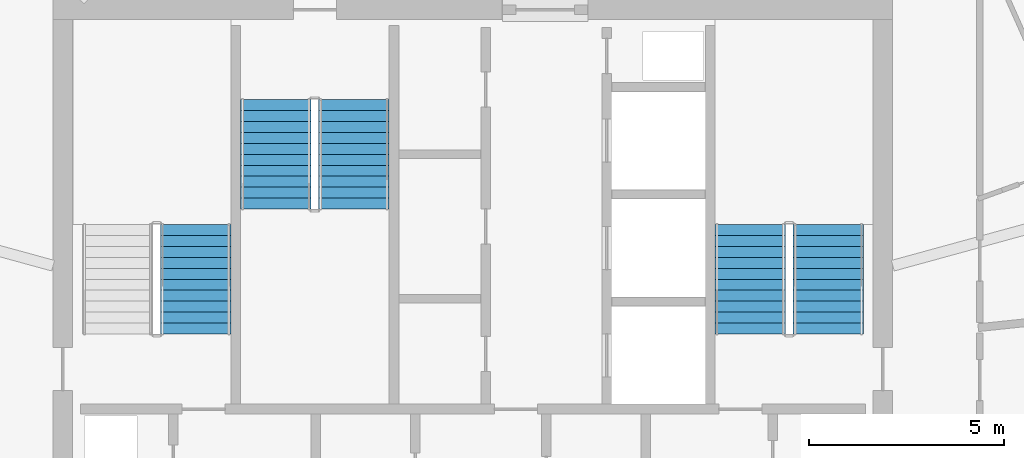
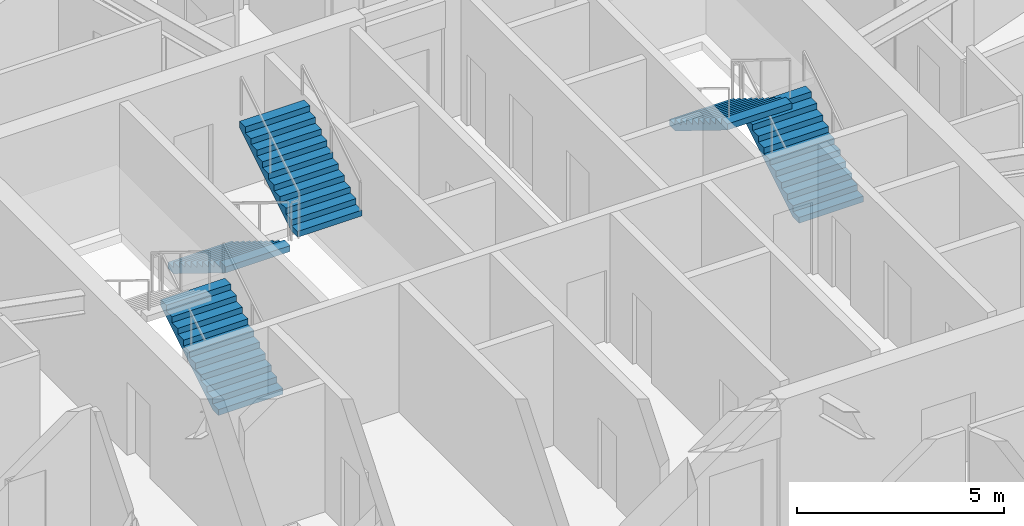
# One storey, part 21 of 23: 5 stair flights, 3 elements without a shape of their own.
"""IFC4 building model written with IfcOpenShell, lengths in metres."""

from ifc_helpers import new_model, si_unit, direction, frame, origin, place, context, subcontext, project, spatial, polyline, outline, extrude, material, type_object, element, aggregate, save


model = new_model("IFC4")

# Units and contexts
model_context = context("Model", 3, precision=1e-05, world=origin(), true_north=direction((0.0, 1.0)))
body_context = subcontext(model_context, "Body", "Model", "MODEL_VIEW")
ifc_project = project(units=[si_unit("LENGTHUNIT", "METRE"), si_unit("AREAUNIT", "SQUARE_METRE"), si_unit("VOLUMEUNIT", "CUBIC_METRE"), si_unit("PLANEANGLEUNIT", "RADIAN"), si_unit("MASSUNIT", "GRAM", prefix="KILO")], contexts=[model_context])

# Site, building, storey
site_placement = place(None, origin())
site = spatial("IfcSite", under=ifc_project, at=site_placement, CompositionType="ELEMENT")
building_placement = place(site_placement, origin())
building = spatial("IfcBuilding", under=site, at=building_placement, Name="Zuhravey Tower", CompositionType="ELEMENT")
storey_placement = place(building_placement, frame((0.0, 0.0, 346.199951171875)))
storey = spatial("IfcBuildingStorey", under=building, at=storey_placement, Name="L88", CompositionType="ELEMENT", Elevation=346.199951171875)

# Stair, stair flight
ifc_material = material(Name="Concrete C40/50", Category="concrete")
stair_type = type_object("IfcStairType", Name="Housing Storey Stair Assembly 3800", PredefinedType="HALF_TURN_STAIR", material=ifc_material)
stair_1_placement = place(storey_placement, origin())
stair_1 = element("IfcStair", 1, at=stair_1_placement, inside=storey, type_object=stair_type, Name="L88 Core Exit Stair ST1", PredefinedType="HALF_TURN_STAIR")
stair_flight_type = type_object("IfcStairFlightType", Name="Housing Storey Stair Flight 3800", PredefinedType="STRAIGHT", material=ifc_material)
stair_flight_1_placement = place(storey_placement, frame((28.89990234375, 33.199951171875, 0.0), z_axis=(0.0, 0.0, 1.0), x_axis=(0.0, 1.0, 0.0)))
stair_flight_1 = element("IfcStairFlight", 2, at=stair_flight_1_placement, type_object=stair_flight_type, Name="ST1 flight 1", NumberOfRisers=11, NumberOfTreads=10, PredefinedType="STRAIGHT", RiserHeight=0.172727273, TreadLength=0.28, context=body_context, shape_type="SweptSolid", body=[
    extrude(outline(polyline([(0.0, 0.0), (0.0, 0.172607421875), (0.280029296875, 0.172607421875), (0.280029296875, 0.345458984375), (0.56005859375, 0.345458984375), (0.56005859375, 0.51806640625), (0.840087890625, 0.51806640625), (0.840087890625, 0.69091796875), (1.1201171875, 0.69091796875), (1.1201171875, 0.863525390625), (1.39990234375, 0.863525390625), (1.39990234375, 1.036376953125), (1.679931640625, 1.036376953125), (1.679931640625, 1.208984375), (1.9599609375, 1.208984375), (1.9599609375, 1.3818359375), (2.239990234375, 1.3818359375), (2.239990234375, 1.554443359375), (2.52001953125, 1.554443359375), (2.52001953125, 1.727294921875), (2.800048828125, 1.727294921875), (2.800048828125, 1.89990234375), (2.800048828125, 1.551025390625), (0.285400390625, 0.0), (0.0, 0.0)])), frame((0.0, 0.89990234375, 0.0), z_axis=(0.0, -1.0, 0.0), x_axis=(1.0, 0.0, 0.0)), (0.0, 0.0, 1.0), 1.800048828125),
])
aggregate(stair_1, [stair_flight_1])

# Stair, stair flights
stair_2_placement = place(storey_placement, origin())
stair_2 = element("IfcStair", 3, at=stair_2_placement, inside=storey, type_object=stair_type, Name="L88 Core Exit Stair ST2", PredefinedType="HALF_TURN_STAIR")
stair_flight_2_placement = place(storey_placement, frame((45.10009765625, 33.199951171875, 0.0), z_axis=(0.0, 0.0, 1.0), x_axis=(0.0, 1.0, 0.0)))
stair_flight_2 = element("IfcStairFlight", 4, at=stair_flight_2_placement, type_object=stair_flight_type, Name="ST2 flight 1", NumberOfRisers=11, NumberOfTreads=10, PredefinedType="STRAIGHT", RiserHeight=0.172727273, TreadLength=0.28, context=body_context, shape_type="SweptSolid", body=[
    extrude(outline(polyline([(0.0, 0.0), (0.0, 0.172607421875), (0.280029296875, 0.172607421875), (0.280029296875, 0.345458984375), (0.56005859375, 0.345458984375), (0.56005859375, 0.51806640625), (0.840087890625, 0.51806640625), (0.840087890625, 0.69091796875), (1.1201171875, 0.69091796875), (1.1201171875, 0.863525390625), (1.39990234375, 0.863525390625), (1.39990234375, 1.036376953125), (1.679931640625, 1.036376953125), (1.679931640625, 1.208984375), (1.9599609375, 1.208984375), (1.9599609375, 1.3818359375), (2.239990234375, 1.3818359375), (2.239990234375, 1.554443359375), (2.52001953125, 1.554443359375), (2.52001953125, 1.727294921875), (2.800048828125, 1.727294921875), (2.800048828125, 1.89990234375), (2.800048828125, 1.551025390625), (0.285400390625, 0.0), (0.0, 0.0)])), frame((0.0, 0.89990234375, 0.0), z_axis=(0.0, -1.0, 0.0), x_axis=(1.0, 0.0, 0.0)), (0.0, 0.0, 1.0), 1.800048828125),
])
stair_flight_3_placement = place(storey_placement, frame((43.10009765625, 36.0, 1.900146484375), z_axis=(0.0, 0.0, 1.0), x_axis=(0.0, -1.0, 0.0)))
stair_flight_3 = element("IfcStairFlight", 5, at=stair_flight_3_placement, type_object=stair_flight_type, Name="ST2 flight 2", NumberOfRisers=11, NumberOfTreads=10, PredefinedType="STRAIGHT", RiserHeight=0.172727273, TreadLength=0.28, context=body_context, shape_type="SweptSolid", body=[
    extrude(outline(polyline([(0.0, 0.0), (0.0, 0.172607421875), (0.280029296875, 0.172607421875), (0.280029296875, 0.345458984375), (0.56005859375, 0.345458984375), (0.56005859375, 0.51806640625), (0.840087890625, 0.51806640625), (0.840087890625, 0.69091796875), (1.1201171875, 0.69091796875), (1.1201171875, 0.863525390625), (1.39990234375, 0.863525390625), (1.39990234375, 1.036376953125), (1.679931640625, 1.036376953125), (1.679931640625, 1.208984375), (1.9599609375, 1.208984375), (1.9599609375, 1.3818359375), (2.239990234375, 1.3818359375), (2.239990234375, 1.554443359375), (2.52001953125, 1.554443359375), (2.52001953125, 1.727294921875), (2.800048828125, 1.727294921875), (2.800048828125, 1.89990234375), (2.800048828125, 1.551025390625), (0.285400390625, 0.0), (0.0, 0.0)])), frame((0.0, 0.89990234375, 0.0), z_axis=(0.0, -1.0, 0.0), x_axis=(1.0, 0.0, 0.0)), (0.0, 0.0, 1.0), 1.800048828125),
])
aggregate(stair_2, [stair_flight_2, stair_flight_3])

stair_3_placement = place(storey_placement, origin())
stair_3 = element("IfcStair", 6, at=stair_3_placement, inside=storey, type_object=stair_type, Name="L88 Core Exit Stair ST3", PredefinedType="HALF_TURN_STAIR")
stair_flight_4_placement = place(storey_placement, frame((30.949951171875, 39.199951171875, 0.0), z_axis=(0.0, 0.0, 1.0), x_axis=(0.0, -1.0, 0.0)))
stair_flight_4 = element("IfcStairFlight", 7, at=stair_flight_4_placement, type_object=stair_flight_type, Name="ST3 flight 1", NumberOfRisers=11, NumberOfTreads=10, PredefinedType="STRAIGHT", RiserHeight=0.172727273, TreadLength=0.28, context=body_context, shape_type="SweptSolid", body=[
    extrude(outline(polyline([(0.0, 0.0), (0.0, 0.172607421875), (0.280029296875, 0.172607421875), (0.280029296875, 0.345458984375), (0.56005859375, 0.345458984375), (0.56005859375, 0.51806640625), (0.840087890625, 0.51806640625), (0.840087890625, 0.69091796875), (1.1201171875, 0.69091796875), (1.1201171875, 0.863525390625), (1.39990234375, 0.863525390625), (1.39990234375, 1.036376953125), (1.679931640625, 1.036376953125), (1.679931640625, 1.208984375), (1.9599609375, 1.208984375), (1.9599609375, 1.3818359375), (2.239990234375, 1.3818359375), (2.239990234375, 1.554443359375), (2.52001953125, 1.554443359375), (2.52001953125, 1.727294921875), (2.800048828125, 1.727294921875), (2.800048828125, 1.89990234375), (2.800048828125, 1.551025390625), (0.285400390625, 0.0), (0.0, 0.0)])), frame((0.0, 0.89990234375, 0.0), z_axis=(0.0, -1.0, 0.0), x_axis=(1.0, 0.0, 0.0)), (0.0, 0.0, 1.0), 1.800048828125),
])
stair_flight_5_placement = place(storey_placement, frame((32.949951171875, 36.39990234375, 1.900146484375), z_axis=(0.0, 0.0, 1.0), x_axis=(0.0, 1.0, 0.0)))
stair_flight_5 = element("IfcStairFlight", 8, at=stair_flight_5_placement, type_object=stair_flight_type, Name="ST3 flight 2", NumberOfRisers=11, NumberOfTreads=10, PredefinedType="STRAIGHT", RiserHeight=0.172727273, TreadLength=0.28, context=body_context, shape_type="SweptSolid", body=[
    extrude(outline(polyline([(0.0, 0.0), (0.0, 0.172607421875), (0.280029296875, 0.172607421875), (0.280029296875, 0.345458984375), (0.56005859375, 0.345458984375), (0.56005859375, 0.51806640625), (0.840087890625, 0.51806640625), (0.840087890625, 0.69091796875), (1.1201171875, 0.69091796875), (1.1201171875, 0.863525390625), (1.39990234375, 0.863525390625), (1.39990234375, 1.036376953125), (1.679931640625, 1.036376953125), (1.679931640625, 1.208984375), (1.9599609375, 1.208984375), (1.9599609375, 1.3818359375), (2.239990234375, 1.3818359375), (2.239990234375, 1.554443359375), (2.52001953125, 1.554443359375), (2.52001953125, 1.727294921875), (2.800048828125, 1.727294921875), (2.800048828125, 1.89990234375), (2.800048828125, 1.551025390625), (0.285400390625, 0.0), (0.0, 0.0)])), frame((0.0, 0.89990234375, 0.0), z_axis=(0.0, -1.0, 0.0), x_axis=(1.0, 0.0, 0.0)), (0.0, 0.0, 1.0), 1.800048828125),
])
aggregate(stair_3, [stair_flight_4, stair_flight_5])

save(model, "model.ifc")
